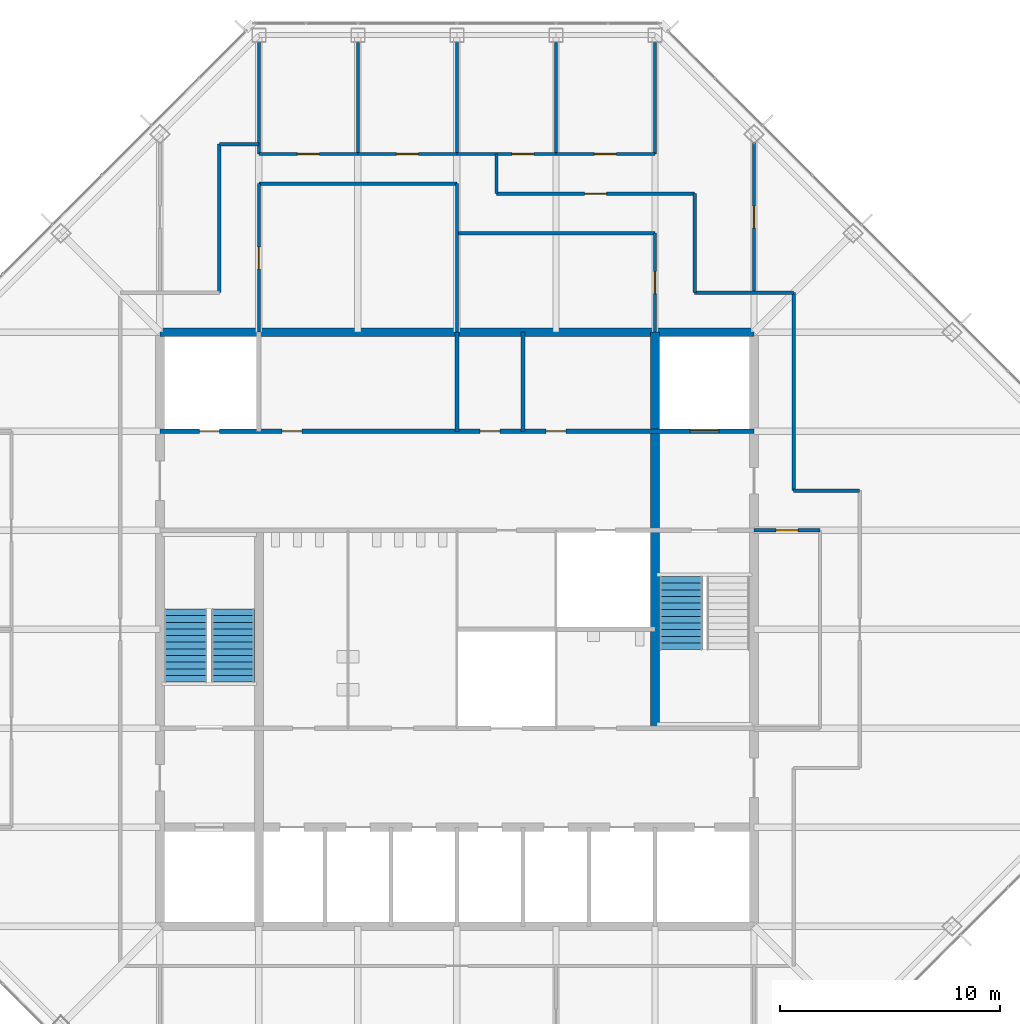
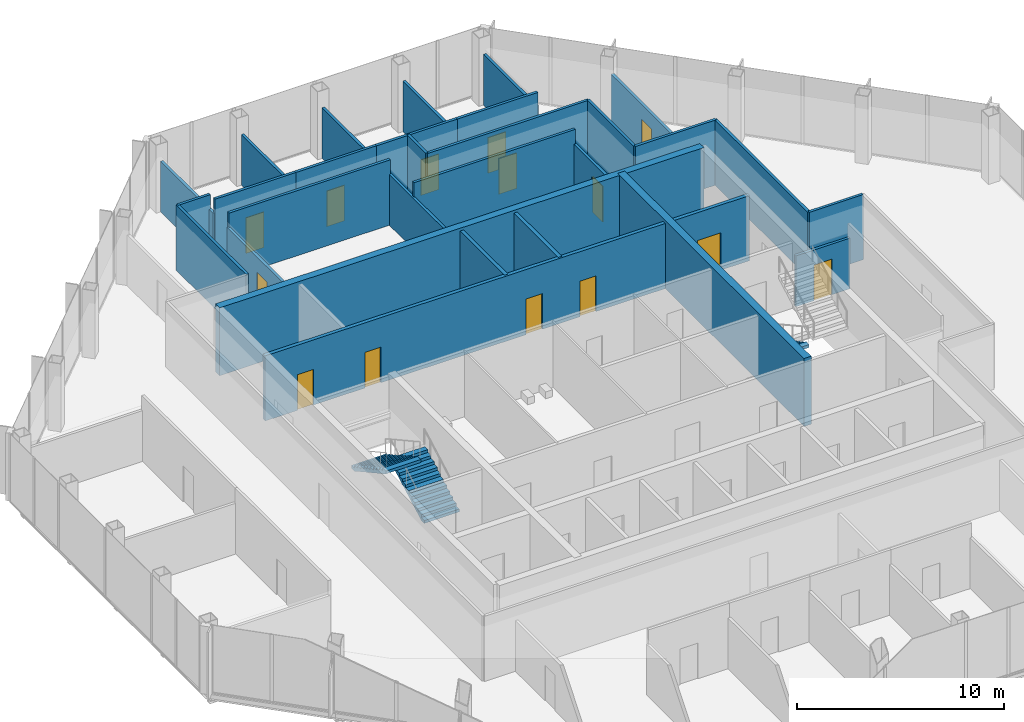
# One storey, part 11 of 14: 29 walls, 14 doors, 3 stair flights, 14 openings, 2 elements without a shape of their own.
"""IFC4 building model written with IfcOpenShell, lengths in metres."""

from ifc_helpers import new_model, si_unit, direction, frame, frame_2d, origin, place, context, subcontext, project, spatial, polyline, rectangle, outline, extrude, material, layer, layer_set, type_object, element, fill, aggregate, save


model = new_model("IFC4")

# Units and contexts
model_context = context("Model", 3, precision=1e-05, world=origin(), true_north=direction((0.0, 1.0)))
body_context = subcontext(model_context, "Body", "Model", "MODEL_VIEW")
ifc_project = project(units=[si_unit("LENGTHUNIT", "METRE"), si_unit("AREAUNIT", "SQUARE_METRE"), si_unit("VOLUMEUNIT", "CUBIC_METRE"), si_unit("PLANEANGLEUNIT", "RADIAN"), si_unit("MASSUNIT", "GRAM", prefix="KILO")], contexts=[model_context])

# Site, building, storey
site_placement = place(None, origin())
site = spatial("IfcSite", under=ifc_project, at=site_placement, CompositionType="ELEMENT")
building_placement = place(site_placement, origin())
building = spatial("IfcBuilding", under=site, at=building_placement, Name="Corais Broadcast Tower", CompositionType="ELEMENT")
storey_placement = place(building_placement, frame((0.0, 0.0, 254.60009765625)))
storey = spatial("IfcBuildingStorey", under=building, at=storey_placement, Name="L59", CompositionType="ELEMENT", Elevation=254.60009765625)

# Walls
ifc_material_1 = material(Name="Concrete C50/60", Category="concrete")
ifc_layer_1 = layer(ifc_material_1, 0.39990234375)
ifc_layer_set_1 = layer_set([ifc_layer_1], Name="Concrete C50/60")
wall_type_1 = type_object("IfcWallType", Name="Core wall 400", PredefinedType="SHEAR", material=ifc_layer_set_1)
wall_1_placement = place(storey_placement, frame((40.5, 40.5, 0.0), z_axis=(0.0, 0.0, 1.0), x_axis=(-1.0, 0.0, 0.0)))
element("IfcWall", 1, at=wall_1_placement, inside=storey, type_object=wall_type_1, Name="CR400 core wall N L59", PredefinedType="SHEAR", context=body_context, shape_type="SweptSolid", body=[
    extrude(rectangle(XDim=27.0, YDim=0.39990234375, at=frame_2d((13.5, 0.0))), origin(), (0.0, 0.0, 1.0), 4.0),
])
wall_2_placement = place(storey_placement, frame((36.0, 22.5, 0.0), z_axis=(0.0, 0.0, 1.0), x_axis=(0.0, 1.0, 0.0)))
element("IfcWall", 2, at=wall_2_placement, inside=storey, type_object=wall_type_1, Name="CR400 core wall X36B L59", PredefinedType="SHEAR", context=body_context, shape_type="SweptSolid", body=[
    extrude(rectangle(XDim=18.0, YDim=0.39990234375, at=frame_2d((9.0, 0.0))), origin(), (0.0, 0.0, 1.0), 4.0),
])

# Wall, openings, doors
ifc_material_2 = material(Name="Concrete blockwork class A, grouted, four-hour", Category="masonry")
ifc_layer_2 = layer(ifc_material_2, 0.199951171875)
ifc_layer_set_2 = layer_set([ifc_layer_2], Name="Concrete blockwork class A, grouted, four-hour")
wall_type_2 = type_object("IfcWallType", Name="Emergency lift shaft wall 200", PredefinedType="SOLIDWALL", material=ifc_layer_set_2)
wall_3_placement = place(storey_placement, frame((13.5, 36.0, 0.0), z_axis=(0.0, 0.0, 1.0), x_axis=(1.0, 0.0, 0.0)))
wall_3 = element("IfcWall", 3, at=wall_3_placement, inside=storey, type_object=wall_type_2, Name="LS3 core lobby wall Y36 L59", PredefinedType="SOLIDWALL", context=body_context, shape_type="SweptSolid", body=[
    extrude(rectangle(XDim=27.0, YDim=0.199951171875, at=frame_2d((13.5, 0.0))), origin(), (0.0, 0.0, 1.0), 3.83984375),
])
opening_1_placement = place(wall_3_placement, frame((1.800048828125, 0.0, 0.0)))
opening_1 = element("IfcOpeningElement", 4, at=opening_1_placement, cuts=wall_3, Name="Opening RD1", PredefinedType="OPENING", context=body_context, shape_type="SweptSolid", body=[
    extrude(rectangle(XDim=0.89990234375, YDim=2.10009765625, at=frame_2d((0.449951171875, 1.050048828125))), frame((0.0, 0.10986328125, 0.0), z_axis=(0.0, -1.0, 0.0), x_axis=(1.0, 0.0, 0.0)), (0.0, 0.0, 1.0), 0.219970703125),
])
opening_2_placement = place(wall_3_placement, frame((5.550048828125, 0.0, 0.0)))
opening_2 = element("IfcOpeningElement", 5, at=opening_2_placement, cuts=wall_3, Name="Opening RD1", PredefinedType="OPENING", context=body_context, shape_type="SweptSolid", body=[
    extrude(rectangle(XDim=0.89990234375, YDim=2.10009765625, at=frame_2d((0.449951171875, 1.050048828125))), frame((0.0, 0.10986328125, 0.0), z_axis=(0.0, -1.0, 0.0), x_axis=(1.0, 0.0, 0.0)), (0.0, 0.0, 1.0), 0.219970703125),
])
opening_3_placement = place(wall_3_placement, frame((14.550048828125, 0.0, 0.0)))
opening_3 = element("IfcOpeningElement", 6, at=opening_3_placement, cuts=wall_3, Name="Opening RD1", PredefinedType="OPENING", context=body_context, shape_type="SweptSolid", body=[
    extrude(rectangle(XDim=0.89990234375, YDim=2.10009765625, at=frame_2d((0.449951171875, 1.050048828125))), frame((0.0, 0.10986328125, 0.0), z_axis=(0.0, -1.0, 0.0), x_axis=(1.0, 0.0, 0.0)), (0.0, 0.0, 1.0), 0.219970703125),
])
opening_4_placement = place(wall_3_placement, frame((17.550048828125, 0.0, 0.0)))
opening_4 = element("IfcOpeningElement", 7, at=opening_4_placement, cuts=wall_3, Name="Opening RD1", PredefinedType="OPENING", context=body_context, shape_type="SweptSolid", body=[
    extrude(rectangle(XDim=0.89990234375, YDim=2.10009765625, at=frame_2d((0.449951171875, 1.050048828125))), frame((0.0, 0.10986328125, 0.0), z_axis=(0.0, -1.0, 0.0), x_axis=(1.0, 0.0, 0.0)), (0.0, 0.0, 1.0), 0.219970703125),
])
opening_5_placement = place(wall_3_placement, frame((24.10009765625, 0.0, 0.0)))
opening_5 = element("IfcOpeningElement", 8, at=opening_5_placement, cuts=wall_3, Name="Opening LD2", PredefinedType="OPENING", context=body_context, shape_type="SweptSolid", body=[
    extrude(rectangle(XDim=1.300048828125, YDim=2.199951171875, at=frame_2d((0.64990234375, 1.10009765625))), frame((0.0, 0.10986328125, 0.0), z_axis=(0.0, -1.0, 0.0), x_axis=(1.0, 0.0, 0.0)), (0.0, 0.0, 1.0), 0.219970703125),
])
ifc_material_3 = material(Name="Stainless steel lift door", Category="steel")
door_type_1 = type_object("IfcDoorType", Name="Lift landing door 1300x2200", OperationType="SLIDING_TO_LEFT", PredefinedType="DOOR", material=ifc_material_3)
door_1_placement = place(opening_5_placement, origin())
door_1 = element("IfcDoor", 9, at=door_1_placement, inside=storey, type_object=door_type_1, Name="LD2 FL2 landing door L59", OperationType="SLIDING_TO_LEFT", OverallHeight=2.199951171875, OverallWidth=1.300048828125, PredefinedType="DOOR", context=body_context, shape_type="SweptSolid", body=[
    extrude(rectangle(XDim=1.300048828125, YDim=2.199951171875, at=frame_2d((0.64990234375, 1.10009765625))), frame((0.0, 0.02490234375, 0.0), z_axis=(0.0, -1.0, 0.0), x_axis=(1.0, 0.0, 0.0)), (0.0, 0.0, 1.0), 0.050048828125),
])
fill(opening_5, door_1)
ifc_material_4 = material(Name="Steel fire door", Category="steel")
door_type_2 = type_object("IfcDoorType", Name="Riser door 900x2100", OperationType="SINGLE_SWING_LEFT", PredefinedType="DOOR", material=ifc_material_4)
door_2_placement = place(opening_1_placement, origin())
door_2 = element("IfcDoor", 10, at=door_2_placement, inside=storey, type_object=door_type_2, Name="RD1 riser door L59", OperationType="SINGLE_SWING_LEFT", OverallHeight=2.10009765625, OverallWidth=0.89990234375, PredefinedType="DOOR", context=body_context, shape_type="SweptSolid", body=[
    extrude(rectangle(XDim=0.89990234375, YDim=2.10009765625, at=frame_2d((0.449951171875, 1.050048828125))), frame((0.0, 0.02490234375, 0.0), z_axis=(0.0, -1.0, 0.0), x_axis=(1.0, 0.0, 0.0)), (0.0, 0.0, 1.0), 0.050048828125),
])
fill(opening_1, door_2)
door_3_placement = place(opening_2_placement, origin())
door_3 = element("IfcDoor", 11, at=door_3_placement, inside=storey, type_object=door_type_2, Name="RD1 stationery store door L59", OperationType="SINGLE_SWING_LEFT", OverallHeight=2.10009765625, OverallWidth=0.89990234375, PredefinedType="DOOR", context=body_context, shape_type="SweptSolid", body=[
    extrude(rectangle(XDim=0.89990234375, YDim=2.10009765625, at=frame_2d((0.449951171875, 1.050048828125))), frame((0.0, 0.02490234375, 0.0), z_axis=(0.0, -1.0, 0.0), x_axis=(1.0, 0.0, 0.0)), (0.0, 0.0, 1.0), 0.050048828125),
])
fill(opening_2, door_3)
door_4_placement = place(opening_3_placement, origin())
door_4 = element("IfcDoor", 12, at=door_4_placement, inside=storey, type_object=door_type_2, Name="RD1 av equipment room door L59", OperationType="SINGLE_SWING_RIGHT", OverallHeight=2.10009765625, OverallWidth=0.89990234375, PredefinedType="DOOR", context=body_context, shape_type="SweptSolid", body=[
    extrude(rectangle(XDim=0.89990234375, YDim=2.10009765625, at=frame_2d((0.449951171875, 1.050048828125))), frame((0.0, 0.02490234375, 0.0), z_axis=(0.0, -1.0, 0.0), x_axis=(1.0, 0.0, 0.0)), (0.0, 0.0, 1.0), 0.050048828125),
])
fill(opening_3, door_4)
door_5_placement = place(opening_4_placement, origin())
door_5 = element("IfcDoor", 13, at=door_5_placement, inside=storey, type_object=door_type_2, Name="RD1 media store door L59", OperationType="SINGLE_SWING_RIGHT", OverallHeight=2.10009765625, OverallWidth=0.89990234375, PredefinedType="DOOR", context=body_context, shape_type="SweptSolid", body=[
    extrude(rectangle(XDim=0.89990234375, YDim=2.10009765625, at=frame_2d((0.449951171875, 1.050048828125))), frame((0.0, 0.02490234375, 0.0), z_axis=(0.0, -1.0, 0.0), x_axis=(1.0, 0.0, 0.0)), (0.0, 0.0, 1.0), 0.050048828125),
])
fill(opening_4, door_5)

# Wall, opening, door
ifc_material_5 = material(Name="Gypsum board on steel studs", Category="steel")
ifc_layer_3 = layer(ifc_material_5, 0.14990234375)
ifc_layer_set_3 = layer_set([ifc_layer_3], Name="Gypsum board on steel studs")
wall_type_3 = type_object("IfcWallType", Name="Partition 150", PredefinedType="PARTITIONING", material=ifc_layer_set_3)
wall_4_placement = place(storey_placement, frame((37.800048828125, 46.800048828125, 0.0), z_axis=(0.0, 0.0, 1.0), x_axis=(-1.0, 0.0, 0.0)))
wall_4 = element("IfcWall", 14, at=wall_4_placement, inside=storey, type_object=wall_type_3, Name="IW3 corridor wall L59", PredefinedType="PARTITIONING", context=body_context, shape_type="SweptSolid", body=[
    extrude(rectangle(XDim=9.0, YDim=0.14990234375, at=frame_2d((4.5, 0.0))), origin(), (0.0, 0.0, 1.0), 3.83984375),
])
opening_6_placement = place(wall_4_placement, frame((4.0, 0.0, 0.0)))
opening_6 = element("IfcOpeningElement", 15, at=opening_6_placement, cuts=wall_4, Name="Opening D1", PredefinedType="OPENING", context=body_context, shape_type="SweptSolid", body=[
    extrude(rectangle(XDim=1.0, YDim=2.10009765625, at=frame_2d((0.5, 1.050048828125))), frame((0.0, 0.0849609375, 0.0), z_axis=(0.0, -1.0, 0.0), x_axis=(1.0, 0.0, 0.0)), (0.0, 0.0, 1.0), 0.169921875),
])
ifc_material_6 = material(Name="Timber door", Category="wood")
door_type_3 = type_object("IfcDoorType", Name="Single door 1000x2100", OperationType="SINGLE_SWING_LEFT", PredefinedType="DOOR", material=ifc_material_6)
door_6_placement = place(opening_6_placement, origin())
door_6 = element("IfcDoor", 16, at=door_6_placement, inside=storey, type_object=door_type_3, Name="D1 workplace door L59", OperationType="SINGLE_SWING_LEFT", OverallHeight=2.10009765625, OverallWidth=1.0, PredefinedType="DOOR", context=body_context, shape_type="SweptSolid", body=[
    extrude(rectangle(XDim=1.0, YDim=2.10009765625, at=frame_2d((0.5, 1.050048828125))), frame((0.0, 0.02490234375, 0.0), z_axis=(0.0, -1.0, 0.0), x_axis=(1.0, 0.0, 0.0)), (0.0, 0.0, 1.0), 0.050048828125),
])
fill(opening_6, door_6)

# Walls
wall_5_placement = place(storey_placement, frame((42.300048828125, 33.300048828125, 0.0), z_axis=(0.0, 0.0, 1.0), x_axis=(0.0, 1.0, 0.0)))
element("IfcWall", 17, at=wall_5_placement, inside=storey, type_object=wall_type_3, Name="IW3 corridor wall L59", PredefinedType="PARTITIONING", context=body_context, shape_type="SweptSolid", body=[
    extrude(rectangle(XDim=9.0, YDim=0.14990234375, at=frame_2d((4.5, 0.0))), origin(), (0.0, 0.0, 1.0), 3.83984375),
])
wall_6_placement = place(storey_placement, frame((16.199951171875, 49.050048828125, 0.0), z_axis=(0.0, 0.0, 1.0), x_axis=(0.0, -1.0, 0.0)))
element("IfcWall", 18, at=wall_6_placement, inside=storey, type_object=wall_type_3, Name="IW3 corridor wall L59", PredefinedType="PARTITIONING", context=body_context, shape_type="SweptSolid", body=[
    extrude(rectangle(XDim=6.75, YDim=0.14990234375, at=frame_2d((3.375, 0.0))), origin(), (0.0, 0.0, 1.0), 3.83984375),
])
for number, where, z_axis, x_axis, name in (
    (19, (37.800048828125, 42.300048828125, 0.0), (0.0, 0.0, 1.0), (0.0, 1.0, 0.0), "IW3 corridor wall L59"),
    (20, (42.300048828125, 42.300048828125, 0.0), (0.0, 0.0, 1.0), (-1.0, 0.0, 0.0), "IW3 corridor wall L59"),
):
    element("IfcWall", number, at=place(storey_placement, frame(where, z_axis=z_axis, x_axis=x_axis)), inside=storey, type_object=wall_type_3, Name=name, PredefinedType="PARTITIONING", context=body_context, shape_type="SweptSolid", body=[
        extrude(rectangle(XDim=4.5, YDim=0.14990234375, at=frame_2d((2.25, 0.0))), origin(), (0.0, 0.0, 1.0), 3.83984375),
    ])
wall_7_placement = place(storey_placement, frame((45.300048828125, 33.300048828125, 0.0), z_axis=(0.0, 0.0, 1.0), x_axis=(-1.0, 0.0, 0.0)))
element("IfcWall", 21, at=wall_7_placement, inside=storey, type_object=wall_type_3, Name="IW3 corridor wall L59", PredefinedType="PARTITIONING", context=body_context, shape_type="SweptSolid", body=[
    extrude(rectangle(XDim=3.0, YDim=0.14990234375, at=frame_2d((1.5, 0.0))), origin(), (0.0, 0.0, 1.0), 3.83984375),
])
for number, where, z_axis, x_axis, name in (
    (22, (18.0, 49.050048828125, 0.0), (0.0, 0.0, 1.0), (-1.0, 0.0, 0.0), "IW3 corridor wall L59"),
    (23, (28.800048828125, 46.800048828125, 0.0), (0.0, 0.0, 1.0), (0.0, 1.0, 0.0), "IW3 corridor wall L59"),
):
    element("IfcWall", number, at=place(storey_placement, frame(where, z_axis=z_axis, x_axis=x_axis)), inside=storey, type_object=wall_type_3, Name=name, PredefinedType="PARTITIONING", context=body_context, shape_type="SweptSolid", body=[
        extrude(rectangle(XDim=1.800048828125, YDim=0.14990234375, at=frame_2d((0.89990234375, 0.0))), origin(), (0.0, 0.0, 1.0), 3.83984375),
    ])
wall_8_placement = place(storey_placement, frame((27.0, 40.5, 0.0), z_axis=(0.0, 0.0, 1.0), x_axis=(0.0, 1.0, 0.0)))
element("IfcWall", 24, at=wall_8_placement, inside=storey, type_object=wall_type_3, Name="IW3 partition L59", PredefinedType="PARTITIONING", context=body_context, shape_type="SweptSolid", body=[
    extrude(rectangle(XDim=6.75, YDim=0.14990234375, at=frame_2d((3.375, 0.0))), origin(), (0.0, 0.0, 1.0), 2.989013671875),
])
wall_9_placement = place(storey_placement, frame((27.0, 47.25, 0.0), z_axis=(0.0, 0.0, 1.0), x_axis=(-1.0, 0.0, 0.0)))
element("IfcWall", 25, at=wall_9_placement, inside=storey, type_object=wall_type_3, Name="IW3 partition L59", PredefinedType="PARTITIONING", context=body_context, shape_type="SweptSolid", body=[
    extrude(rectangle(XDim=9.0, YDim=0.14990234375, at=frame_2d((4.5, 0.0))), origin(), (0.0, 0.0, 1.0), 3.83984375),
])

# Wall, opening, door
wall_10_placement = place(storey_placement, frame((18.0, 47.25, 0.0), z_axis=(0.0, 0.0, 1.0), x_axis=(0.0, -1.0, 0.0)))
wall_10 = element("IfcWall", 26, at=wall_10_placement, inside=storey, type_object=wall_type_3, Name="IW3 partition L59", PredefinedType="PARTITIONING", context=body_context, shape_type="SweptSolid", body=[
    extrude(rectangle(XDim=6.75, YDim=0.14990234375, at=frame_2d((3.375, 0.0))), origin(), (0.0, 0.0, 1.0), 2.989013671875),
])
opening_7_placement = place(wall_10_placement, frame((2.875, 0.0, 0.0)))
opening_7 = element("IfcOpeningElement", 27, at=opening_7_placement, cuts=wall_10, Name="Opening D1", PredefinedType="OPENING", context=body_context, shape_type="SweptSolid", body=[
    extrude(rectangle(XDim=1.0, YDim=2.10009765625, at=frame_2d((0.5, 1.050048828125))), frame((0.0, 0.0849609375, 0.0), z_axis=(0.0, -1.0, 0.0), x_axis=(1.0, 0.0, 0.0)), (0.0, 0.0, 1.0), 0.169921875),
])
door_7_placement = place(opening_7_placement, origin())
door_7 = element("IfcDoor", 28, at=door_7_placement, inside=storey, type_object=door_type_3, Name="D1 Test lab room door", OperationType="SINGLE_SWING_LEFT", OverallHeight=2.10009765625, OverallWidth=1.0, PredefinedType="DOOR", context=body_context, shape_type="SweptSolid", body=[
    extrude(rectangle(XDim=1.0, YDim=2.10009765625, at=frame_2d((0.5, 1.050048828125))), frame((0.0, 0.02490234375, 0.0), z_axis=(0.0, -1.0, 0.0), x_axis=(1.0, 0.0, 0.0)), (0.0, 0.0, 1.0), 0.050048828125),
])
fill(opening_7, door_7)

wall_11_placement = place(storey_placement, frame((36.0, 40.5, 0.0), z_axis=(0.0, 0.0, 1.0), x_axis=(0.0, 1.0, 0.0)))
wall_11 = element("IfcWall", 29, at=wall_11_placement, inside=storey, type_object=wall_type_3, Name="IW3 partition L59", PredefinedType="PARTITIONING", context=body_context, shape_type="SweptSolid", body=[
    extrude(rectangle(XDim=4.5, YDim=0.14990234375, at=frame_2d((2.25, 0.0))), origin(), (0.0, 0.0, 1.0), 2.989013671875),
])
opening_8_placement = place(wall_11_placement, frame((1.75, 0.0, 0.0)))
opening_8 = element("IfcOpeningElement", 30, at=opening_8_placement, cuts=wall_11, Name="Opening D1", PredefinedType="OPENING", context=body_context, shape_type="SweptSolid", body=[
    extrude(rectangle(XDim=1.0, YDim=2.10009765625, at=frame_2d((0.5, 1.050048828125))), frame((0.0, 0.0849609375, 0.0), z_axis=(0.0, -1.0, 0.0), x_axis=(1.0, 0.0, 0.0)), (0.0, 0.0, 1.0), 0.169921875),
])
door_8_placement = place(opening_8_placement, origin())
door_8 = element("IfcDoor", 31, at=door_8_placement, inside=storey, type_object=door_type_3, Name="D1 Meeting room door", OperationType="SINGLE_SWING_LEFT", OverallHeight=2.10009765625, OverallWidth=1.0, PredefinedType="DOOR", context=body_context, shape_type="SweptSolid", body=[
    extrude(rectangle(XDim=1.0, YDim=2.10009765625, at=frame_2d((0.5, 1.050048828125))), frame((0.0, 0.02490234375, 0.0), z_axis=(0.0, -1.0, 0.0), x_axis=(1.0, 0.0, 0.0)), (0.0, 0.0, 1.0), 0.050048828125),
])
fill(opening_8, door_8)

# Wall
wall_12_placement = place(storey_placement, frame((36.0, 45.0, 0.0), z_axis=(0.0, 0.0, 1.0), x_axis=(-1.0, 0.0, 0.0)))
element("IfcWall", 32, at=wall_12_placement, inside=storey, type_object=wall_type_3, Name="IW3 partition L59", PredefinedType="PARTITIONING", context=body_context, shape_type="SweptSolid", body=[
    extrude(rectangle(XDim=9.0, YDim=0.14990234375, at=frame_2d((4.5, 0.0))), origin(), (0.0, 0.0, 1.0), 3.83984375),
])

# Wall, opening, door
wall_13_placement = place(storey_placement, frame((43.5, 31.5, 0.0), z_axis=(0.0, 0.0, 1.0), x_axis=(-1.0, 0.0, 0.0)))
wall_13 = element("IfcWall", 33, at=wall_13_placement, inside=storey, type_object=wall_type_3, Name="IW3 partition L59", PredefinedType="PARTITIONING", context=body_context, shape_type="SweptSolid", body=[
    extrude(rectangle(XDim=3.0, YDim=0.14990234375, at=frame_2d((1.5, 0.0))), origin(), (0.0, 0.0, 1.0), 2.989013671875),
])
opening_9_placement = place(wall_13_placement, frame((1.0, 0.0, 0.0)))
opening_9 = element("IfcOpeningElement", 34, at=opening_9_placement, cuts=wall_13, Name="Opening D1", PredefinedType="OPENING", context=body_context, shape_type="SweptSolid", body=[
    extrude(rectangle(XDim=1.0, YDim=2.10009765625, at=frame_2d((0.5, 1.050048828125))), frame((0.0, 0.0849609375, 0.0), z_axis=(0.0, -1.0, 0.0), x_axis=(1.0, 0.0, 0.0)), (0.0, 0.0, 1.0), 0.169921875),
])
door_9_placement = place(opening_9_placement, origin())
door_9 = element("IfcDoor", 35, at=door_9_placement, inside=storey, type_object=door_type_3, Name="D1 Pantry door", OperationType="SINGLE_SWING_LEFT", OverallHeight=2.10009765625, OverallWidth=1.0, PredefinedType="DOOR", context=body_context, shape_type="SweptSolid", body=[
    extrude(rectangle(XDim=1.0, YDim=2.10009765625, at=frame_2d((0.5, 1.050048828125))), frame((0.0, 0.02490234375, 0.0), z_axis=(0.0, -1.0, 0.0), x_axis=(1.0, 0.0, 0.0)), (0.0, 0.0, 1.0), 0.050048828125),
])
fill(opening_9, door_9)

wall_14_placement = place(storey_placement, frame((18.0, 48.60009765625, 0.0), z_axis=(0.0, 0.0, 1.0), x_axis=(1.0, 0.0, 0.0)))
wall_14 = element("IfcWall", 36, at=wall_14_placement, inside=storey, type_object=wall_type_3, Name="IW3 partition L59", PredefinedType="PARTITIONING", context=body_context, shape_type="SweptSolid", body=[
    extrude(rectangle(XDim=4.5, YDim=0.14990234375, at=frame_2d((2.25, 0.0))), origin(), (0.0, 0.0, 1.0), 3.83984375),
])
opening_10_placement = place(wall_14_placement, frame((1.75, 0.0, 0.0)))
opening_10 = element("IfcOpeningElement", 37, at=opening_10_placement, cuts=wall_14, Name="Opening D1", PredefinedType="OPENING", context=body_context, shape_type="SweptSolid", body=[
    extrude(rectangle(XDim=1.0, YDim=2.10009765625, at=frame_2d((0.5, 1.050048828125))), frame((0.0, 0.0849609375, 0.0), z_axis=(0.0, -1.0, 0.0), x_axis=(1.0, 0.0, 0.0)), (0.0, 0.0, 1.0), 0.169921875),
])
door_10_placement = place(opening_10_placement, origin())
door_10 = element("IfcDoor", 38, at=door_10_placement, inside=storey, type_object=door_type_3, Name="D1 Engineer office door", OperationType="SINGLE_SWING_LEFT", OverallHeight=2.10009765625, OverallWidth=1.0, PredefinedType="DOOR", context=body_context, shape_type="SweptSolid", body=[
    extrude(rectangle(XDim=1.0, YDim=2.10009765625, at=frame_2d((0.5, 1.050048828125))), frame((0.0, 0.02490234375, 0.0), z_axis=(0.0, -1.0, 0.0), x_axis=(1.0, 0.0, 0.0)), (0.0, 0.0, 1.0), 0.050048828125),
])
fill(opening_10, door_10)

# Walls
for number, where, z_axis, x_axis, name in (
    (39, (22.5, 48.60009765625, 0.0), (0.0, 0.0, 1.0), (0.0, 1.0, 0.0), "IW3 partition L59"),
    (40, (18.0, 53.6650390625, 0.0), (0.0, 0.0, 1.0), (0.0, -1.0, 0.0), "IW3 partition L59"),
):
    element("IfcWall", number, at=place(storey_placement, frame(where, z_axis=z_axis, x_axis=x_axis)), inside=storey, type_object=wall_type_3, Name=name, PredefinedType="PARTITIONING", context=body_context, shape_type="SweptSolid", body=[
        extrude(rectangle(XDim=5.06494140625, YDim=0.14990234375, at=frame_2d((2.532470703125, 0.0))), origin(), (0.0, 0.0, 1.0), 2.989013671875),
    ])

# Wall, opening, door
wall_15_placement = place(storey_placement, frame((22.5, 48.60009765625, 0.0), z_axis=(0.0, 0.0, 1.0), x_axis=(1.0, 0.0, 0.0)))
wall_15 = element("IfcWall", 41, at=wall_15_placement, inside=storey, type_object=wall_type_3, Name="IW3 partition L59", PredefinedType="PARTITIONING", context=body_context, shape_type="SweptSolid", body=[
    extrude(rectangle(XDim=4.5, YDim=0.14990234375, at=frame_2d((2.25, 0.0))), origin(), (0.0, 0.0, 1.0), 3.83984375),
])
opening_11_placement = place(wall_15_placement, frame((1.75, 0.0, 0.0)))
opening_11 = element("IfcOpeningElement", 42, at=opening_11_placement, cuts=wall_15, Name="Opening D1", PredefinedType="OPENING", context=body_context, shape_type="SweptSolid", body=[
    extrude(rectangle(XDim=1.0, YDim=2.10009765625, at=frame_2d((0.5, 1.050048828125))), frame((0.0, 0.0849609375, 0.0), z_axis=(0.0, -1.0, 0.0), x_axis=(1.0, 0.0, 0.0)), (0.0, 0.0, 1.0), 0.169921875),
])
door_11_placement = place(opening_11_placement, origin())
door_11 = element("IfcDoor", 43, at=door_11_placement, inside=storey, type_object=door_type_3, Name="D1 Engineer office door", OperationType="SINGLE_SWING_LEFT", OverallHeight=2.10009765625, OverallWidth=1.0, PredefinedType="DOOR", context=body_context, shape_type="SweptSolid", body=[
    extrude(rectangle(XDim=1.0, YDim=2.10009765625, at=frame_2d((0.5, 1.050048828125))), frame((0.0, 0.02490234375, 0.0), z_axis=(0.0, -1.0, 0.0), x_axis=(1.0, 0.0, 0.0)), (0.0, 0.0, 1.0), 0.050048828125),
])
fill(opening_11, door_11)

# Wall
wall_16_placement = place(storey_placement, frame((27.0, 48.60009765625, 0.0), z_axis=(0.0, 0.0, 1.0), x_axis=(0.0, 1.0, 0.0)))
element("IfcWall", 44, at=wall_16_placement, inside=storey, type_object=wall_type_3, Name="IW3 partition L59", PredefinedType="PARTITIONING", context=body_context, shape_type="SweptSolid", body=[
    extrude(rectangle(XDim=5.06494140625, YDim=0.14990234375, at=frame_2d((2.532470703125, 0.0))), origin(), (0.0, 0.0, 1.0), 2.989013671875),
])

# Wall, opening, door
wall_17_placement = place(storey_placement, frame((27.0, 48.60009765625, 0.0), z_axis=(0.0, 0.0, 1.0), x_axis=(1.0, 0.0, 0.0)))
wall_17 = element("IfcWall", 45, at=wall_17_placement, inside=storey, type_object=wall_type_3, Name="IW3 partition L59", PredefinedType="PARTITIONING", context=body_context, shape_type="SweptSolid", body=[
    extrude(rectangle(XDim=4.5, YDim=0.14990234375, at=frame_2d((2.25, 0.0))), origin(), (0.0, 0.0, 1.0), 3.83984375),
])
opening_12_placement = place(wall_17_placement, frame((2.5, 0.0, 0.0)))
opening_12 = element("IfcOpeningElement", 46, at=opening_12_placement, cuts=wall_17, Name="Opening D1", PredefinedType="OPENING", context=body_context, shape_type="SweptSolid", body=[
    extrude(rectangle(XDim=1.0, YDim=2.10009765625, at=frame_2d((0.5, 1.050048828125))), frame((0.0, 0.0849609375, 0.0), z_axis=(0.0, -1.0, 0.0), x_axis=(1.0, 0.0, 0.0)), (0.0, 0.0, 1.0), 0.169921875),
])
door_12_placement = place(opening_12_placement, origin())
door_12 = element("IfcDoor", 47, at=door_12_placement, inside=storey, type_object=door_type_3, Name="D1 Engineer office door", OperationType="SINGLE_SWING_RIGHT", OverallHeight=2.10009765625, OverallWidth=1.0, PredefinedType="DOOR", context=body_context, shape_type="SweptSolid", body=[
    extrude(rectangle(XDim=1.0, YDim=2.10009765625, at=frame_2d((0.5, 1.050048828125))), frame((0.0, 0.02490234375, 0.0), z_axis=(0.0, -1.0, 0.0), x_axis=(1.0, 0.0, 0.0)), (0.0, 0.0, 1.0), 0.050048828125),
])
fill(opening_12, door_12)

# Wall
wall_18_placement = place(storey_placement, frame((31.5, 48.60009765625, 0.0), z_axis=(0.0, 0.0, 1.0), x_axis=(0.0, 1.0, 0.0)))
element("IfcWall", 48, at=wall_18_placement, inside=storey, type_object=wall_type_3, Name="IW3 partition L59", PredefinedType="PARTITIONING", context=body_context, shape_type="SweptSolid", body=[
    extrude(rectangle(XDim=5.06494140625, YDim=0.14990234375, at=frame_2d((2.532470703125, 0.0))), origin(), (0.0, 0.0, 1.0), 2.989013671875),
])

# Wall, opening, door
wall_19_placement = place(storey_placement, frame((31.5, 48.60009765625, 0.0), z_axis=(0.0, 0.0, 1.0), x_axis=(1.0, 0.0, 0.0)))
wall_19 = element("IfcWall", 49, at=wall_19_placement, inside=storey, type_object=wall_type_3, Name="IW3 partition L59", PredefinedType="PARTITIONING", context=body_context, shape_type="SweptSolid", body=[
    extrude(rectangle(XDim=4.5, YDim=0.14990234375, at=frame_2d((2.25, 0.0))), origin(), (0.0, 0.0, 1.0), 3.83984375),
])
opening_13_placement = place(wall_19_placement, frame((1.75, 0.0, 0.0)))
opening_13 = element("IfcOpeningElement", 50, at=opening_13_placement, cuts=wall_19, Name="Opening D1", PredefinedType="OPENING", context=body_context, shape_type="SweptSolid", body=[
    extrude(rectangle(XDim=1.0, YDim=2.10009765625, at=frame_2d((0.5, 1.050048828125))), frame((0.0, 0.0849609375, 0.0), z_axis=(0.0, -1.0, 0.0), x_axis=(1.0, 0.0, 0.0)), (0.0, 0.0, 1.0), 0.169921875),
])
door_13_placement = place(opening_13_placement, origin())
door_13 = element("IfcDoor", 51, at=door_13_placement, inside=storey, type_object=door_type_3, Name="D1 Engineer office door", OperationType="SINGLE_SWING_LEFT", OverallHeight=2.10009765625, OverallWidth=1.0, PredefinedType="DOOR", context=body_context, shape_type="SweptSolid", body=[
    extrude(rectangle(XDim=1.0, YDim=2.10009765625, at=frame_2d((0.5, 1.050048828125))), frame((0.0, 0.02490234375, 0.0), z_axis=(0.0, -1.0, 0.0), x_axis=(1.0, 0.0, 0.0)), (0.0, 0.0, 1.0), 0.050048828125),
])
fill(opening_13, door_13)

# Wall
wall_20_placement = place(storey_placement, frame((36.0, 48.60009765625, 0.0), z_axis=(0.0, 0.0, 1.0), x_axis=(0.0, 1.0, 0.0)))
element("IfcWall", 52, at=wall_20_placement, inside=storey, type_object=wall_type_3, Name="IW3 partition L59", PredefinedType="PARTITIONING", context=body_context, shape_type="SweptSolid", body=[
    extrude(rectangle(XDim=5.06494140625, YDim=0.14990234375, at=frame_2d((2.532470703125, 0.0))), origin(), (0.0, 0.0, 1.0), 2.989013671875),
])

# Wall, opening, door
wall_21_placement = place(storey_placement, frame((40.5, 49.155029296875, 0.0), z_axis=(0.0, 0.0, 1.0), x_axis=(0.0, -1.0, 0.0)))
wall_21 = element("IfcWall", 53, at=wall_21_placement, inside=storey, type_object=wall_type_3, Name="IW3 partition L59", PredefinedType="PARTITIONING", context=body_context, shape_type="SweptSolid", body=[
    extrude(rectangle(XDim=6.85498046875, YDim=0.14990234375, at=frame_2d((3.427490234375, 0.0))), origin(), (0.0, 0.0, 1.0), 2.989013671875),
])
opening_14_placement = place(wall_21_placement, frame((2.927490234375, 0.0, 0.0)))
opening_14 = element("IfcOpeningElement", 54, at=opening_14_placement, cuts=wall_21, Name="Opening D1", PredefinedType="OPENING", context=body_context, shape_type="SweptSolid", body=[
    extrude(rectangle(XDim=1.0, YDim=2.10009765625, at=frame_2d((0.5, 1.050048828125))), frame((0.0, 0.0849609375, 0.0), z_axis=(0.0, -1.0, 0.0), x_axis=(1.0, 0.0, 0.0)), (0.0, 0.0, 1.0), 0.169921875),
])
door_14_placement = place(opening_14_placement, origin())
door_14 = element("IfcDoor", 55, at=door_14_placement, inside=storey, type_object=door_type_3, Name="D1 team room door L59", OperationType="SINGLE_SWING_LEFT", OverallHeight=2.10009765625, OverallWidth=1.0, PredefinedType="DOOR", context=body_context, shape_type="SweptSolid", body=[
    extrude(rectangle(XDim=1.0, YDim=2.10009765625, at=frame_2d((0.5, 1.050048828125))), frame((0.0, 0.02490234375, 0.0), z_axis=(0.0, -1.0, 0.0), x_axis=(1.0, 0.0, 0.0)), (0.0, 0.0, 1.0), 0.050048828125),
])
fill(opening_14, door_14)

# Walls
ifc_material_7 = material(Name="Concrete blockwork class A, grouted, two-hour", Category="masonry")
ifc_layer_4 = layer(ifc_material_7, 0.199951171875)
ifc_layer_set_4 = layer_set([ifc_layer_4], Name="Concrete blockwork class A, grouted, two-hour")
wall_type_4 = type_object("IfcWallType", Name="Shaft wall 200", PredefinedType="PARTITIONING", material=ifc_layer_set_4)
for number, where, z_axis, x_axis, name in (
    (56, (27.0, 36.0, 0.0), (0.0, 0.0, 1.0), (0.0, 1.0, 0.0), "IW1 shaft wall L59"),
    (57, (30.0, 36.0, 0.0), (0.0, 0.0, 1.0), (0.0, 1.0, 0.0), "IW1 shaft wall L59"),
):
    element("IfcWall", number, at=place(storey_placement, frame(where, z_axis=z_axis, x_axis=x_axis)), inside=storey, type_object=wall_type_4, Name=name, PredefinedType="PARTITIONING", context=body_context, shape_type="SweptSolid", body=[
        extrude(rectangle(XDim=4.5, YDim=0.199951171875, at=frame_2d((2.25, 0.0))), origin(), (0.0, 0.0, 1.0), 3.83984375),
    ])

# Stair, stair flights
ifc_material_8 = material(Name="Concrete C30/37", Category="concrete")
stair_type = type_object("IfcStairType", Name="Half-turn stair 4000", PredefinedType="HALF_TURN_STAIR", material=ifc_material_8)
stair_1_placement = place(storey_placement, origin())
stair_1 = element("IfcStair", 58, at=stair_1_placement, inside=storey, type_object=stair_type, Name="Stair A L59", PredefinedType="HALF_TURN_STAIR")
ifc_material_9 = material(Name="Concrete C30/37", Category="concrete")
stair_flight_type = type_object("IfcStairFlightType", Name="Stair flight 4000", PredefinedType="STRAIGHT", material=ifc_material_9)
stair_flight_1_placement = place(storey_placement, frame((16.824951171875, 24.60009765625, 0.0), z_axis=(0.0, 0.0, 1.0), x_axis=(0.0, 1.0, 0.0)))
stair_flight_1 = element("IfcStairFlight", 59, at=stair_flight_1_placement, type_object=stair_flight_type, Name="STA flight 1", NumberOfRisers=12, NumberOfTreads=11, PredefinedType="STRAIGHT", RiserHeight=0.166666667, TreadLength=0.302, context=body_context, shape_type="SweptSolid", body=[
    extrude(outline(polyline([(0.0, 0.0), (0.0, 0.166748046875), (0.302001953125, 0.166748046875), (0.302001953125, 0.333251953125), (0.60400390625, 0.333251953125), (0.60400390625, 0.5), (0.906005859375, 0.5), (0.906005859375, 0.666748046875), (1.2080078125, 0.666748046875), (1.2080078125, 0.833251953125), (1.510009765625, 0.833251953125), (1.510009765625, 1.0), (1.81201171875, 1.0), (1.81201171875, 1.166748046875), (2.114013671875, 1.166748046875), (2.114013671875, 1.333251953125), (2.416015625, 1.333251953125), (2.416015625, 1.5), (2.718017578125, 1.5), (2.718017578125, 1.666748046875), (3.02001953125, 1.666748046875), (3.02001953125, 1.833251953125), (3.322021484375, 1.833251953125), (3.322021484375, 2.0), (3.322021484375, 1.662109375), (0.310302734375, 0.0), (0.0, 0.0)])), frame((0.0, 0.97509765625, 0.0), z_axis=(0.0, -1.0, 0.0), x_axis=(1.0, 0.0, 0.0)), (0.0, 0.0, 1.0), 1.949951171875),
])
stair_flight_2_placement = place(storey_placement, frame((14.675048828125, 27.922119140625, 2.0), z_axis=(0.0, 0.0, 1.0), x_axis=(0.0, -1.0, 0.0)))
stair_flight_2 = element("IfcStairFlight", 60, at=stair_flight_2_placement, type_object=stair_flight_type, Name="STA flight 2", NumberOfRisers=12, NumberOfTreads=11, PredefinedType="STRAIGHT", RiserHeight=0.166666667, TreadLength=0.302, context=body_context, shape_type="SweptSolid", body=[
    extrude(outline(polyline([(0.0, 0.0), (0.0, 0.166748046875), (0.302001953125, 0.166748046875), (0.302001953125, 0.333251953125), (0.60400390625, 0.333251953125), (0.60400390625, 0.5), (0.906005859375, 0.5), (0.906005859375, 0.666748046875), (1.2080078125, 0.666748046875), (1.2080078125, 0.833251953125), (1.510009765625, 0.833251953125), (1.510009765625, 1.0), (1.81201171875, 1.0), (1.81201171875, 1.166748046875), (2.114013671875, 1.166748046875), (2.114013671875, 1.333251953125), (2.416015625, 1.333251953125), (2.416015625, 1.5), (2.718017578125, 1.5), (2.718017578125, 1.666748046875), (3.02001953125, 1.666748046875), (3.02001953125, 1.833251953125), (3.322021484375, 1.833251953125), (3.322021484375, 2.0), (3.322021484375, 1.662109375), (0.310302734375, 0.0), (0.0, 0.0)])), frame((0.0, 0.97509765625, 0.0), z_axis=(0.0, -1.0, 0.0), x_axis=(1.0, 0.0, 0.0)), (0.0, 0.0, 1.0), 1.949951171875),
])
aggregate(stair_1, [stair_flight_1, stair_flight_2])

# Stair, stair flight
stair_2_placement = place(storey_placement, origin())
stair_2 = element("IfcStair", 61, at=stair_2_placement, inside=storey, type_object=stair_type, Name="Stair B L59", PredefinedType="HALF_TURN_STAIR")
stair_flight_3_placement = place(storey_placement, frame((37.175048828125, 29.39990234375, 0.0), z_axis=(0.0, 0.0, 1.0), x_axis=(0.0, -1.0, 0.0)))
stair_flight_3 = element("IfcStairFlight", 62, at=stair_flight_3_placement, type_object=stair_flight_type, Name="STB flight 1", NumberOfRisers=12, NumberOfTreads=11, PredefinedType="STRAIGHT", RiserHeight=0.166666667, TreadLength=0.302, context=body_context, shape_type="SweptSolid", body=[
    extrude(outline(polyline([(0.0, 0.0), (0.0, 0.166748046875), (0.302001953125, 0.166748046875), (0.302001953125, 0.333251953125), (0.60400390625, 0.333251953125), (0.60400390625, 0.5), (0.906005859375, 0.5), (0.906005859375, 0.666748046875), (1.2080078125, 0.666748046875), (1.2080078125, 0.833251953125), (1.510009765625, 0.833251953125), (1.510009765625, 1.0), (1.81201171875, 1.0), (1.81201171875, 1.166748046875), (2.114013671875, 1.166748046875), (2.114013671875, 1.333251953125), (2.416015625, 1.333251953125), (2.416015625, 1.5), (2.718017578125, 1.5), (2.718017578125, 1.666748046875), (3.02001953125, 1.666748046875), (3.02001953125, 1.833251953125), (3.322021484375, 1.833251953125), (3.322021484375, 2.0), (3.322021484375, 1.662109375), (0.310302734375, 0.0), (0.0, 0.0)])), frame((0.0, 0.97509765625, 0.0), z_axis=(0.0, -1.0, 0.0), x_axis=(1.0, 0.0, 0.0)), (0.0, 0.0, 1.0), 1.949951171875),
])
aggregate(stair_2, [stair_flight_3])

save(model, "model.ifc")
